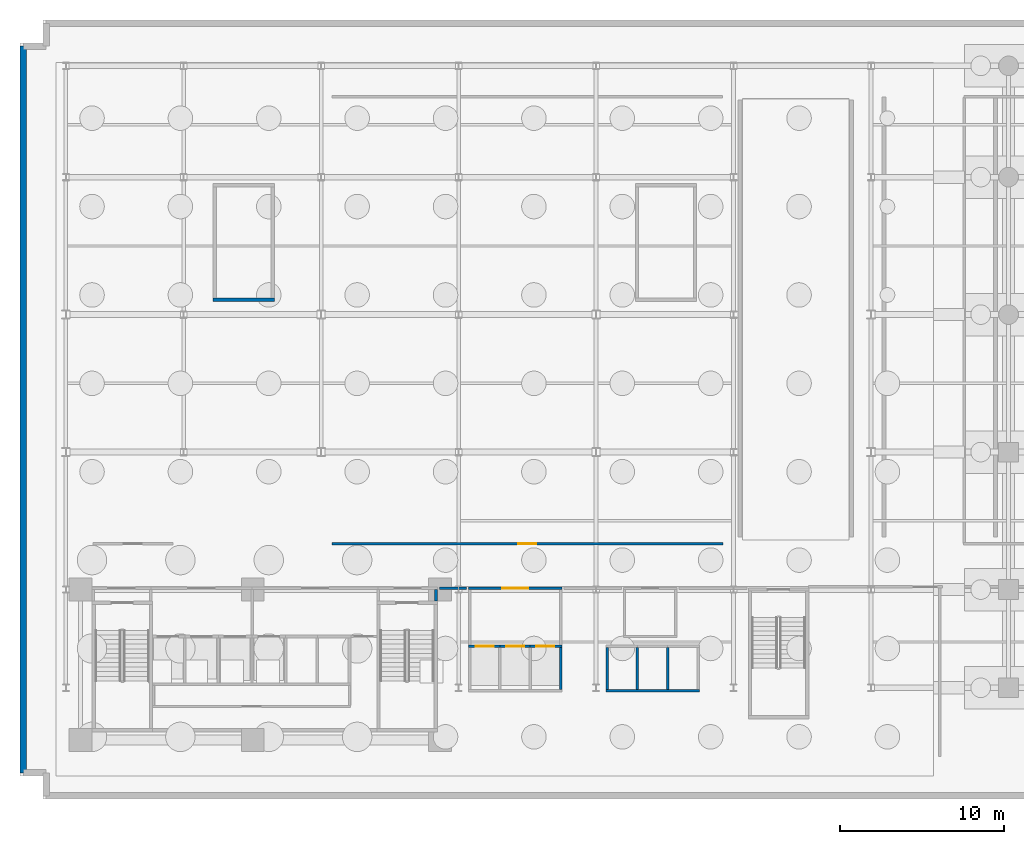
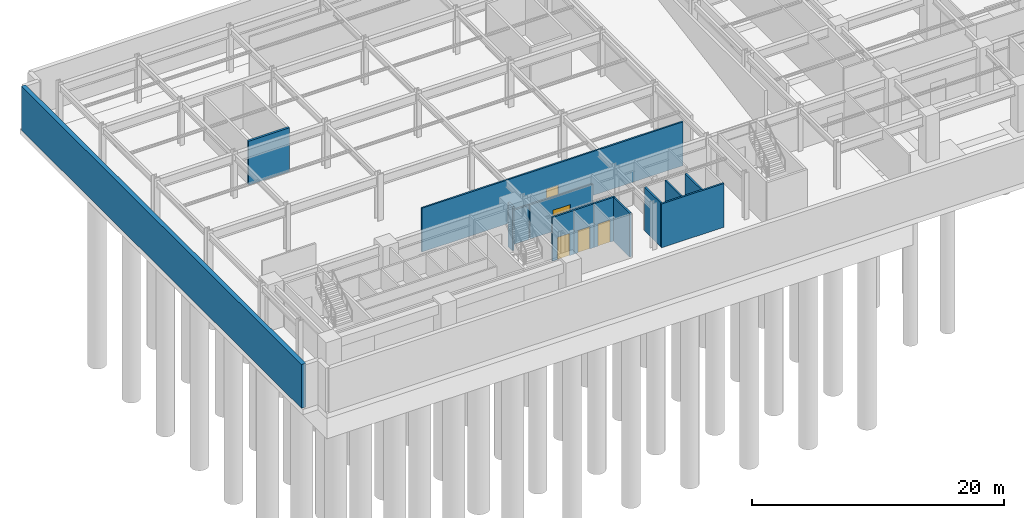
# One storey, part 9 of 14: 14 walls, 5 doors, 5 openings.
"""IFC4 building model written with IfcOpenShell, lengths in metres."""

from ifc_helpers import new_model, si_unit, direction, frame, frame_2d, origin, place, context, subcontext, project, spatial, rectangle, extrude, material, layer, layer_set, type_object, element, fill, save


model = new_model("IFC4")

# Units and contexts
model_context = context("Model", 3, precision=1e-05, world=origin(), true_north=direction((0.0, 1.0)))
body_context = subcontext(model_context, "Body", "Model", "MODEL_VIEW")
ifc_project = project(units=[si_unit("LENGTHUNIT", "METRE"), si_unit("AREAUNIT", "SQUARE_METRE"), si_unit("VOLUMEUNIT", "CUBIC_METRE"), si_unit("PLANEANGLEUNIT", "RADIAN"), si_unit("MASSUNIT", "GRAM", prefix="KILO")], contexts=[model_context])

# Site, building, storey
site_placement = place(None, origin())
site = spatial("IfcSite", under=ifc_project, at=site_placement, CompositionType="ELEMENT")
building_placement = place(site_placement, origin())
building = spatial("IfcBuilding", under=site, at=building_placement, Name="Varnakote Quay Hospital", CompositionType="ELEMENT")
storey_placement = place(building_placement, frame((0.0, 0.0, -9.0)))
storey = spatial("IfcBuildingStorey", under=building, at=storey_placement, Name="B02", CompositionType="ELEMENT", Elevation=-9.0)

# Walls
ifc_material_1 = material(Name="Concrete N40 (f'c 40 MPa)", Category="concrete")
ifc_layer_1 = layer(ifc_material_1, 0.39990234375)
ifc_layer_set_1 = layer_set([ifc_layer_1], Name="Concrete N40 (f'c 40 MPa)")
wall_type_1 = type_object("IfcWallType", Name="WL-BSMT-RET-400", PredefinedType="STANDARD", material=ifc_layer_set_1)
wall_1_placement = place(storey_placement, frame((-1.39990234375, 45.199951171875, 0.0), z_axis=(0.0, 0.0, 1.0), x_axis=(0.0, -1.0, 0.0)))
element("IfcWall", 1, at=wall_1_placement, inside=storey, type_object=wall_type_1, Name="B02 Tanked Basement Retaining Wall", PredefinedType="STANDARD", context=body_context, shape_type="SweptSolid", body=[
    extrude(rectangle(XDim=44.39990234375, YDim=0.39990234375, at=frame_2d((22.199951171875, 0.0))), origin(), (0.0, 0.0, 1.0), 4.239990234375),
])
ifc_material_2 = material(Name="Fire-rated acoustic gypsum stud wall", Category="gypsum")
ifc_layer_2 = layer(ifc_material_2, 0.159912109375)
ifc_layer_set_2 = layer_set([ifc_layer_2], Name="Fire-rated acoustic gypsum stud wall")
wall_type_2 = type_object("IfcWallType", Name="WL-COMP-160", PredefinedType="PARTITIONING", material=ifc_layer_set_2)
wall_2_placement = place(storey_placement, frame((23.820068359375, 11.300048828125, 0.0), z_axis=(0.0, 0.0, 1.0), x_axis=(0.0, 1.0, 0.0)))
element("IfcWall", 2, at=wall_2_placement, inside=storey, type_object=wall_type_2, Name="B02 East Stair Vestibule East Wall", PredefinedType="PARTITIONING", context=body_context, shape_type="SweptSolid", body=[
    extrude(rectangle(XDim=0.699951171875, YDim=0.159912109375, at=frame_2d((0.35009765625, 0.0))), origin(), (0.0, 0.0, 1.0), 4.239990234375),
])

# Wall, opening, door
wall_3_placement = place(storey_placement, frame((25.7900390625, 12.080078125, 0.0), z_axis=(0.0, 0.0, 1.0), x_axis=(1.0, 0.0, 0.0)))
wall_3 = element("IfcWall", 3, at=wall_3_placement, inside=storey, type_object=wall_type_2, Name="B02 Low-Rise Lift Lobby North Wall", PredefinedType="PARTITIONING", context=body_context, shape_type="SweptSolid", body=[
    extrude(rectangle(XDim=5.719970703125, YDim=0.159912109375, at=frame_2d((2.85986328125, 0.0))), origin(), (0.0, 0.0, 1.0), 3.304931640625),
])
opening_1_placement = place(wall_3_placement, frame((2.06005859375, 0.0, 0.0)))
opening_1 = element("IfcOpeningElement", 4, at=opening_1_placement, cuts=wall_3, Name="Opening D-PLL-B02", PredefinedType="OPENING", context=body_context, shape_type="SweptSolid", body=[
    extrude(rectangle(XDim=1.60009765625, YDim=2.050048828125, at=frame_2d((0.800048828125, 1.02490234375))), frame((0.0, 0.08984375, 0.0), z_axis=(0.0, -1.0, 0.0), x_axis=(1.0, 0.0, 0.0)), (0.0, 0.0, 1.0), 0.179931640625),
])
ifc_material_3 = material(Name="Fire-rated double smoke lobby door")
door_type_1 = type_object("IfcDoorType", Name="DR-LOBBY-FD60S-1600x2150", OperationType="NOTDEFINED", PredefinedType="DOOR", material=ifc_material_3)
door_1_placement = place(opening_1_placement, origin())
door_1 = element("IfcDoor", 5, at=door_1_placement, inside=storey, type_object=door_type_1, Name="B02 Low-Rise Passenger Concourse Vestibule Door", OperationType="DOUBLE_DOOR_SINGLE_SWING", OverallHeight=2.050048828125, OverallWidth=1.60009765625, PredefinedType="DOOR", context=body_context, shape_type="SweptSolid", body=[
    extrude(rectangle(XDim=1.60009765625, YDim=2.050048828125, at=frame_2d((0.800048828125, 1.02490234375))), frame((0.0, 0.02490234375, 0.0), z_axis=(0.0, -1.0, 0.0), x_axis=(1.0, 0.0, 0.0)), (0.0, 0.0, 1.0), 0.050048828125),
])
fill(opening_1, door_1)

# Walls
wall_4_placement = place(storey_placement, frame((24.02001953125, 12.080078125, 0.0), z_axis=(0.0, 0.0, 1.0), x_axis=(1.0, 0.0, 0.0)))
element("IfcWall", 6, at=wall_4_placement, inside=storey, type_object=wall_type_2, Name="B02 Corridor South Gap Wall", PredefinedType="PARTITIONING", context=body_context, shape_type="SweptSolid", body=[
    extrude(rectangle(XDim=1.64990234375, YDim=0.159912109375, at=frame_2d((0.824951171875, 0.0))), origin(), (0.0, 0.0, 1.0), 3.304931640625),
])
ifc_material_4 = material(Name="Concrete N50 (f'c 50 MPa)", Category="concrete")
ifc_layer_3 = layer(ifc_material_4, 0.14990234375)
ifc_layer_set_3 = layer_set([ifc_layer_3], Name="Concrete N50 (f'c 50 MPa)")
wall_type_3 = type_object("IfcWallType", Name="WL-SHAFT-N50-150", PredefinedType="SHEAR", material=ifc_layer_set_3)
for number, where, z_axis, x_axis, name in (
    (7, (36.125, 5.89990234375, 0.0), (0.0, 0.0, 1.0), (0.0, 1.0, 0.0), "B02 LF-PM1 Hoistway Divider Wall"),
    (8, (37.97509765625, 5.89990234375, 0.0), (0.0, 0.0, 1.0), (0.0, 1.0, 0.0), "B02 LF-PM2 Hoistway Divider Wall"),
):
    element("IfcWall", number, at=place(storey_placement, frame(where, z_axis=z_axis, x_axis=x_axis)), inside=storey, type_object=wall_type_3, Name=name, PredefinedType="SHEAR", context=body_context, shape_type="SweptSolid", body=[
        extrude(rectangle(XDim=2.550048828125, YDim=0.14990234375, at=frame_2d((1.27490234375, 0.0))), origin(), (0.0, 0.0, 1.0), 4.239990234375),
    ])
ifc_material_5 = material(Name="Concrete N50 (f'c 50 MPa)", Category="concrete")
ifc_layer_4 = layer(ifc_material_5, 0.159912109375)
ifc_layer_set_4 = layer_set([ifc_layer_4], Name="Concrete N50 (f'c 50 MPa)")
wall_type_4 = type_object("IfcWallType", Name="WL-SHAFT-N50-160", PredefinedType="SHEAR", material=ifc_layer_set_4)
wall_5_placement = place(storey_placement, frame((31.429931640625, 5.89990234375, 0.0), z_axis=(0.0, 0.0, 1.0), x_axis=(0.0, 1.0, 0.0)))
element("IfcWall", 9, at=wall_5_placement, inside=storey, type_object=wall_type_4, Name="B02 LOW Lift Bank East Shear Wall", PredefinedType="SHEAR", context=body_context, shape_type="SweptSolid", body=[
    extrude(rectangle(XDim=2.550048828125, YDim=0.159912109375, at=frame_2d((1.27490234375, 0.0))), origin(), (0.0, 0.0, 1.0), 4.239990234375),
])

# Wall, opening, door
wall_6_placement = place(storey_placement, frame((25.7900390625, 8.530029296875, 0.0), z_axis=(0.0, 0.0, 1.0), x_axis=(1.0, 0.0, 0.0)))
wall_6 = element("IfcWall", 10, at=wall_6_placement, inside=storey, type_object=wall_type_4, Name="B02 LF-PL1 Hoistway Front Wall", PredefinedType="SHEAR", context=body_context, shape_type="SweptSolid", body=[
    extrude(rectangle(XDim=1.93505859375, YDim=0.159912109375, at=frame_2d((0.967529296875, 0.0))), origin(), (0.0, 0.0, 1.0), 4.239990234375),
])
opening_2_placement = place(wall_6_placement, frame((0.4599609375, 0.0, 0.0)))
opening_2 = element("IfcOpeningElement", 11, at=opening_2_placement, cuts=wall_6, Name="Opening LD-PL1-B02", PredefinedType="OPENING", context=body_context, shape_type="SweptSolid", body=[
    extrude(rectangle(XDim=1.10009765625, YDim=2.14990234375, at=frame_2d((0.550048828125, 1.074951171875))), frame((0.0, 0.08984375, 0.0), z_axis=(0.0, -1.0, 0.0), x_axis=(1.0, 0.0, 0.0)), (0.0, 0.0, 1.0), 0.179931640625),
])
ifc_material_6 = material(Name="Brushed bronze lift landing sliding door")
door_type_2 = type_object("IfcDoorType", Name="DR-LIFT-LD-1100x2150", OperationType="NOTDEFINED", PredefinedType="DOOR", material=ifc_material_6)
door_2_placement = place(opening_2_placement, origin())
door_2 = element("IfcDoor", 12, at=door_2_placement, inside=storey, type_object=door_type_2, Name="B02 LF-PL1 Lift Landing Sliding Door", OperationType="SLIDING_TO_LEFT", OverallHeight=2.14990234375, OverallWidth=1.10009765625, PredefinedType="DOOR", context=body_context, shape_type="SweptSolid", body=[
    extrude(rectangle(XDim=1.10009765625, YDim=2.14990234375, at=frame_2d((0.550048828125, 1.074951171875))), frame((0.0, 0.02490234375, 0.0), z_axis=(0.0, -1.0, 0.0), x_axis=(1.0, 0.0, 0.0)), (0.0, 0.0, 1.0), 0.050048828125),
])
fill(opening_2, door_2)

wall_7_placement = place(storey_placement, frame((27.72509765625, 8.530029296875, 0.0), z_axis=(0.0, 0.0, 1.0), x_axis=(1.0, 0.0, 0.0)))
wall_7 = element("IfcWall", 13, at=wall_7_placement, inside=storey, type_object=wall_type_4, Name="B02 LF-PL2 Hoistway Front Wall", PredefinedType="SHEAR", context=body_context, shape_type="SweptSolid", body=[
    extrude(rectangle(XDim=1.849853515625, YDim=0.159912109375, at=frame_2d((0.9248046875, 0.0))), origin(), (0.0, 0.0, 1.0), 4.239990234375),
])
opening_3_placement = place(wall_7_placement, frame((0.375, 0.0, 0.0)))
opening_3 = element("IfcOpeningElement", 14, at=opening_3_placement, cuts=wall_7, Name="Opening LD-PL2-B02", PredefinedType="OPENING", context=body_context, shape_type="SweptSolid", body=[
    extrude(rectangle(XDim=1.10009765625, YDim=2.14990234375, at=frame_2d((0.550048828125, 1.074951171875))), frame((0.0, 0.08984375, 0.0), z_axis=(0.0, -1.0, 0.0), x_axis=(1.0, 0.0, 0.0)), (0.0, 0.0, 1.0), 0.179931640625),
])
door_3_placement = place(opening_3_placement, origin())
door_3 = element("IfcDoor", 15, at=door_3_placement, inside=storey, type_object=door_type_2, Name="B02 LF-PL2 Lift Landing Sliding Door", OperationType="SLIDING_TO_LEFT", OverallHeight=2.14990234375, OverallWidth=1.10009765625, PredefinedType="DOOR", context=body_context, shape_type="SweptSolid", body=[
    extrude(rectangle(XDim=1.10009765625, YDim=2.14990234375, at=frame_2d((0.550048828125, 1.074951171875))), frame((0.0, 0.02490234375, 0.0), z_axis=(0.0, -1.0, 0.0), x_axis=(1.0, 0.0, 0.0)), (0.0, 0.0, 1.0), 0.050048828125),
])
fill(opening_3, door_3)

wall_8_placement = place(storey_placement, frame((29.574951171875, 8.530029296875, 0.0), z_axis=(0.0, 0.0, 1.0), x_axis=(1.0, 0.0, 0.0)))
wall_8 = element("IfcWall", 16, at=wall_8_placement, inside=storey, type_object=wall_type_4, Name="B02 LF-PL3 Hoistway Front Wall", PredefinedType="SHEAR", context=body_context, shape_type="SweptSolid", body=[
    extrude(rectangle(XDim=1.93505859375, YDim=0.159912109375, at=frame_2d((0.967529296875, 0.0))), origin(), (0.0, 0.0, 1.0), 4.239990234375),
])
opening_4_placement = place(wall_8_placement, frame((0.375, 0.0, 0.0)))
opening_4 = element("IfcOpeningElement", 17, at=opening_4_placement, cuts=wall_8, Name="Opening LD-PL3-B02", PredefinedType="OPENING", context=body_context, shape_type="SweptSolid", body=[
    extrude(rectangle(XDim=1.10009765625, YDim=2.14990234375, at=frame_2d((0.550048828125, 1.074951171875))), frame((0.0, 0.08984375, 0.0), z_axis=(0.0, -1.0, 0.0), x_axis=(1.0, 0.0, 0.0)), (0.0, 0.0, 1.0), 0.179931640625),
])
door_4_placement = place(opening_4_placement, origin())
door_4 = element("IfcDoor", 18, at=door_4_placement, inside=storey, type_object=door_type_2, Name="B02 LF-PL3 Lift Landing Sliding Door", OperationType="SLIDING_TO_LEFT", OverallHeight=2.14990234375, OverallWidth=1.10009765625, PredefinedType="DOOR", context=body_context, shape_type="SweptSolid", body=[
    extrude(rectangle(XDim=1.10009765625, YDim=2.14990234375, at=frame_2d((0.550048828125, 1.074951171875))), frame((0.0, 0.02490234375, 0.0), z_axis=(0.0, -1.0, 0.0), x_axis=(1.0, 0.0, 0.0)), (0.0, 0.0, 1.0), 0.050048828125),
])
fill(opening_4, door_4)

# Walls
wall_9_placement = place(storey_placement, frame((34.18994140625, 5.820068359375, 0.0), z_axis=(0.0, 0.0, 1.0), x_axis=(1.0, 0.0, 0.0)))
element("IfcWall", 19, at=wall_9_placement, inside=storey, type_object=wall_type_4, Name="B02 MID Lift Bank Back Shear Wall", PredefinedType="SHEAR", context=body_context, shape_type="SweptSolid", body=[
    extrude(rectangle(XDim=5.719970703125, YDim=0.159912109375, at=frame_2d((2.85986328125, 0.0))), origin(), (0.0, 0.0, 1.0), 4.239990234375),
])
wall_10_placement = place(storey_placement, frame((34.27001953125, 5.89990234375, 0.0), z_axis=(0.0, 0.0, 1.0), x_axis=(0.0, 1.0, 0.0)))
element("IfcWall", 20, at=wall_10_placement, inside=storey, type_object=wall_type_4, Name="B02 MID Lift Bank West Shear Wall", PredefinedType="SHEAR", context=body_context, shape_type="SweptSolid", body=[
    extrude(rectangle(XDim=2.550048828125, YDim=0.159912109375, at=frame_2d((1.27490234375, 0.0))), origin(), (0.0, 0.0, 1.0), 4.239990234375),
])
ifc_material_7 = material(Name="Concrete N50 (f'c 50 MPa)", Category="concrete")
ifc_layer_5 = layer(ifc_material_7, 0.199951171875)
ifc_layer_set_5 = layer_set([ifc_layer_5], Name="Concrete N50 (f'c 50 MPa)")
wall_type_5 = type_object("IfcWallType", Name="WL-SHAFT-N50-200", PredefinedType="SHEAR", material=ifc_layer_set_5)
wall_11_placement = place(storey_placement, frame((10.199951171875, 29.699951171875, 0.0), z_axis=(0.0, 0.0, 1.0), x_axis=(1.0, 0.0, 0.0)))
element("IfcWall", 21, at=wall_11_placement, inside=storey, type_object=wall_type_5, Name="B02 Stair ST4 South Shaft Wall", PredefinedType="SHEAR", context=body_context, shape_type="SweptSolid", body=[
    extrude(rectangle(XDim=3.739990234375, YDim=0.199951171875, at=frame_2d((1.8701171875, 0.0))), origin(), (0.0, 0.0, 1.0), 4.239990234375),
])

# Wall, opening, door
ifc_material_8 = material(Name="Fire-rated clinical gypsum partition", Category="gypsum")
ifc_layer_6 = layer(ifc_material_8, 0.14990234375)
ifc_layer_set_6 = layer_set([ifc_layer_6], Name="Fire-rated clinical gypsum partition")
wall_type_6 = type_object("IfcWallType", Name="WL-WARD-150", PredefinedType="PARTITIONING", material=ifc_layer_set_6)
wall_12_placement = place(storey_placement, frame((41.344482421875, 14.800048828125, 0.0), z_axis=(0.0, 0.0, 1.0), x_axis=(-1.0, 0.0, 0.0)))
wall_12 = element("IfcWall", 22, at=wall_12_placement, inside=storey, type_object=wall_type_6, Name="B02 Clinical Interior Partition", PredefinedType="PARTITIONING", context=body_context, shape_type="SweptSolid", body=[
    extrude(rectangle(XDim=23.88916015625, YDim=0.14990234375, at=frame_2d((11.944580078125, 0.0))), origin(), (0.0, 0.0, 1.0), 4.239990234375),
])
opening_5_placement = place(wall_12_placement, frame((11.39453125, 0.0, 0.0)))
opening_5 = element("IfcOpeningElement", 23, at=opening_5_placement, cuts=wall_12, Name="Opening D-B02-PKN", PredefinedType="OPENING", context=body_context, shape_type="SweptSolid", body=[
    extrude(rectangle(XDim=1.10009765625, YDim=2.10009765625, at=frame_2d((0.550048828125, 1.050048828125))), frame((0.0, 0.0849609375, 0.0), z_axis=(0.0, -1.0, 0.0), x_axis=(1.0, 0.0, 0.0)), (0.0, 0.0, 1.0), 0.169921875),
])
ifc_material_9 = material(Name="Acoustic timber clinical consult door", Category="wood")
door_type_3 = type_object("IfcDoorType", Name="DR-CLIN-FD30S-1100x2100", OperationType="NOTDEFINED", PredefinedType="DOOR", material=ifc_material_9)
door_5_placement = place(opening_5_placement, origin())
door_5 = element("IfcDoor", 24, at=door_5_placement, inside=storey, type_object=door_type_3, Name="B02 North Car Park Bays & Accessible Parking Door", OperationType="SINGLE_SWING_RIGHT", OverallHeight=2.10009765625, OverallWidth=1.10009765625, PredefinedType="DOOR", context=body_context, shape_type="SweptSolid", body=[
    extrude(rectangle(XDim=1.10009765625, YDim=2.10009765625, at=frame_2d((0.550048828125, 1.050048828125))), frame((0.0, 0.02490234375, 0.0), z_axis=(0.0, -1.0, 0.0), x_axis=(1.0, 0.0, 0.0)), (0.0, 0.0, 1.0), 0.050048828125),
])
fill(opening_5, door_5)

save(model, "model.ifc")
